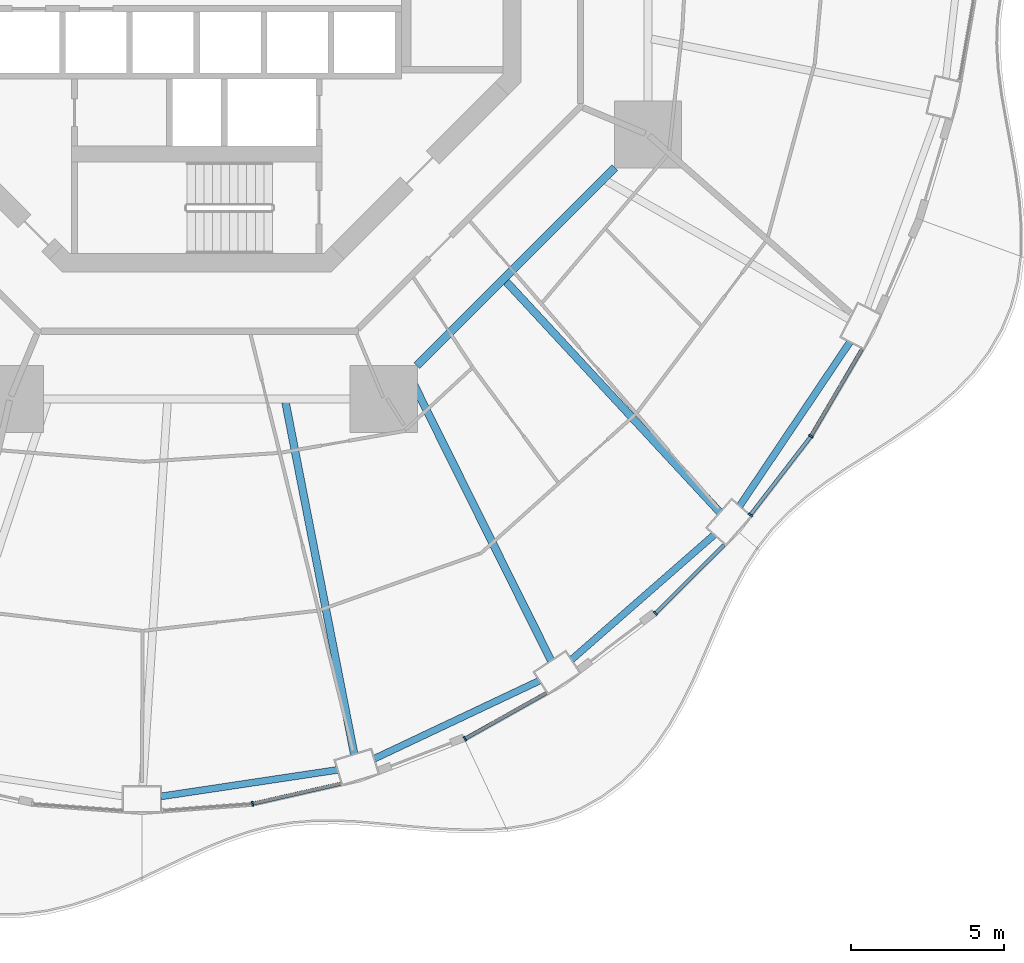
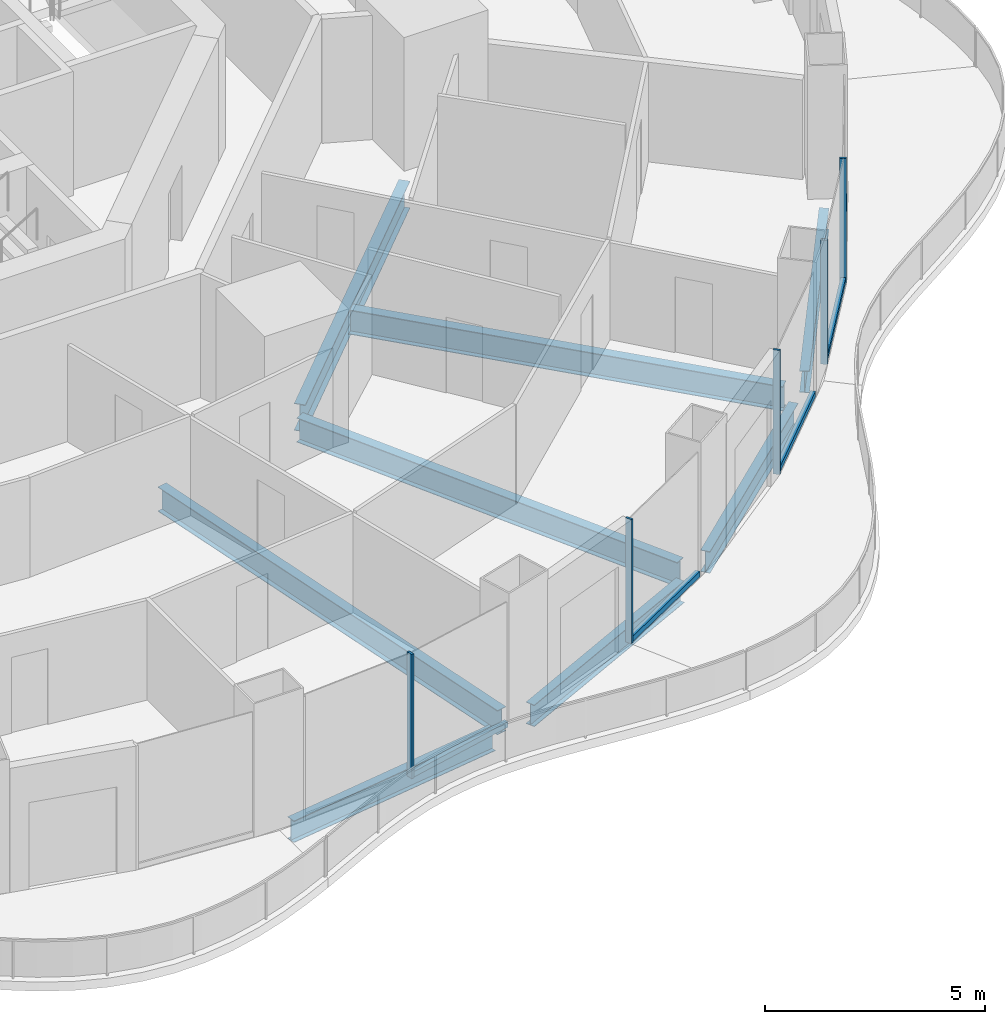
# One storey, part 5 of 22: 10 members, 8 beams, 5 elements without a shape of their own.
"""IFC4 building model written with IfcOpenShell, lengths in metres."""

from ifc_helpers import new_model, si_unit, direction, frame, origin, origin_2d, place, context, subcontext, project, spatial, rectangle, i_section, extrude, material, layer, layer_set, material_profile, profile_set, type_object, element, aggregate, save


model = new_model("IFC4")

# Units and contexts
model_context = context("Model", 3, precision=1e-05, world=origin(), true_north=direction((0.0, 1.0)))
body_context = subcontext(model_context, "Body", "Model", "MODEL_VIEW")
ifc_project = project(units=[si_unit("LENGTHUNIT", "METRE"), si_unit("AREAUNIT", "SQUARE_METRE"), si_unit("VOLUMEUNIT", "CUBIC_METRE"), si_unit("PLANEANGLEUNIT", "RADIAN"), si_unit("MASSUNIT", "GRAM", prefix="KILO")], contexts=[model_context])

# Site, building, storey
site_placement = place(None, origin())
site = spatial("IfcSite", under=ifc_project, at=site_placement, CompositionType="ELEMENT")
building_placement = place(site_placement, origin())
building = spatial("IfcBuilding", under=site, at=building_placement, Name="Nagisa Residences", CompositionType="ELEMENT")
storey_placement = place(building_placement, frame((0.0, 0.0, 95.5)))
storey = spatial("IfcBuildingStorey", under=building, at=storey_placement, Name="L23", CompositionType="ELEMENT", Elevation=95.5)

# Curtain wall, member
ifc_material_1 = material(Name="Concrete-coloured aluminium curtain wall system", Category="concrete")
ifc_layer = layer(ifc_material_1, 0.159912109375)
ifc_layer_set = layer_set([ifc_layer], Name="CW1 CURTAIN WALL")
curtain_wall_type = type_object("IfcCurtainWallType", Name="CW1 CURTAIN WALL", PredefinedType="NOTDEFINED", material=ifc_layer_set)
curtain_wall_1_placement = place(storey_placement, origin())
curtain_wall_1 = element("IfcCurtainWall", 1, at=curtain_wall_1_placement, inside=storey, type_object=curtain_wall_type, Name="cw:CW1:L23:37", PredefinedType="NOTDEFINED")
ifc_material_2 = material(Name="Concrete-coloured aluminium", Category="concrete")
ifc_material_profile_1 = material_profile(ifc_material_2, rectangle(XDim=0.159912109375, YDim=0.06005859375, at=origin_2d()), Name="CW1 MULLION 160x60")
ifc_profile_set_1 = profile_set([ifc_material_profile_1], Name="Concrete-coloured aluminium")
member_type_1 = type_object("IfcMemberType", Name="CW1 MULLION 160x60", PredefinedType="MULLION", material=ifc_profile_set_1)
member_1_placement = place(storey_placement, frame((1.826416015625, -28.04296875, 0.0), z_axis=(0.0, 0.0, 1.0), x_axis=(-0.2207639201, 0.975327274089, 0.0)))
member_1 = element("IfcMember", 2, at=member_1_placement, type_object=member_type_1, Name="CW1 mullion", PredefinedType="MULLION", context=body_context, shape_type="SweptSolid", body=[
    extrude(rectangle(XDim=0.159912109375, YDim=0.06005859375, at=origin_2d()), origin(), (0.0, 0.0, 1.0), 3.43994140625),
])

curtain_wall_2_placement = place(storey_placement, origin())
curtain_wall_2 = element("IfcCurtainWall", 3, at=curtain_wall_2_placement, inside=storey, type_object=curtain_wall_type, Name="cw:CW1:L23:39", PredefinedType="NOTDEFINED")
member_2_placement = place(storey_placement, frame((8.785400390625, -25.913818359375, 0.0), z_axis=(0.0, 0.0, 1.0), x_axis=(-0.489376918501, 0.872072377523, 0.0)))
member_2 = element("IfcMember", 4, at=member_2_placement, type_object=member_type_1, Name="CW1 mullion", PredefinedType="MULLION", context=body_context, shape_type="SweptSolid", body=[
    extrude(rectangle(XDim=0.159912109375, YDim=0.06005859375, at=origin_2d()), origin(), (0.0, 0.0, 1.0), 3.43994140625),
])

curtain_wall_3_placement = place(storey_placement, origin())
curtain_wall_3 = element("IfcCurtainWall", 5, at=curtain_wall_3_placement, inside=storey, type_object=curtain_wall_type, Name="cw:CW1:L23:41", PredefinedType="NOTDEFINED")
member_3_placement = place(storey_placement, frame((15.0244140625, -21.80712890625, 0.0), z_axis=(0.0, 0.0, 1.0), x_axis=(-0.706376885714, 0.707835924016, 0.0)))
member_3 = element("IfcMember", 6, at=member_3_placement, type_object=member_type_1, Name="CW1 mullion", PredefinedType="MULLION", context=body_context, shape_type="SweptSolid", body=[
    extrude(rectangle(XDim=0.159912109375, YDim=0.06005859375, at=origin_2d()), origin(), (0.0, 0.0, 1.0), 3.43994140625),
])

curtain_wall_4_placement = place(storey_placement, origin())
curtain_wall_4 = element("IfcCurtainWall", 7, at=curtain_wall_4_placement, inside=storey, type_object=curtain_wall_type, Name="cw:CW1:L23:42", PredefinedType="NOTDEFINED")
member_4_placement = place(storey_placement, frame((18.135009765625, -18.579345703125, 0.0), z_axis=(0.0, 0.0, 1.0), x_axis=(-0.792070340816, 0.610429828235, 0.0)))
member_4 = element("IfcMember", 8, at=member_4_placement, type_object=member_type_1, Name="CW1 mullion", PredefinedType="MULLION", context=body_context, shape_type="SweptSolid", body=[
    extrude(rectangle(XDim=0.159912109375, YDim=0.06005859375, at=origin_2d()), origin(), (0.0, 0.0, 1.0), 3.43994140625),
])

curtain_wall_5_placement = place(storey_placement, origin())
curtain_wall_5 = element("IfcCurtainWall", 9, at=curtain_wall_5_placement, inside=storey, type_object=curtain_wall_type, Name="cw:CW1:L23:43", PredefinedType="NOTDEFINED")
member_5_placement = place(storey_placement, frame((20.1181640625, -16.0009765625, 0.0), z_axis=(0.0, 0.0, 1.0), x_axis=(-0.862328898214, 0.506348567002, 0.0)))
member_5 = element("IfcMember", 10, at=member_5_placement, type_object=member_type_1, Name="CW1 mullion", PredefinedType="MULLION", context=body_context, shape_type="SweptSolid", body=[
    extrude(rectangle(XDim=0.159912109375, YDim=0.06005859375, at=origin_2d()), origin(), (0.0, 0.0, 1.0), 3.43994140625),
])

# Member
ifc_material_3 = material(Name="Concrete-coloured aluminium", Category="concrete")
ifc_material_profile_2 = material_profile(ifc_material_3, rectangle(XDim=0.1201171875, YDim=0.14990234375, at=origin_2d()), Name="CW1 TRANSOM 120x150")
ifc_profile_set_2 = profile_set([ifc_material_profile_2], Name="Concrete-coloured aluminium")
member_type_2 = type_object("IfcMemberType", Name="CW1 TRANSOM 120x150", PredefinedType="USERDEFINED", material=ifc_profile_set_2)
member_6_placement = place(storey_placement, frame((1.79736328125, -28.049560546875, 0.074951171875), z_axis=(0.975331196789, 0.220746589036, 0.0), x_axis=(-0.220746589036, 0.975331196789, 0.0)))
member_6 = element("IfcMember", 11, at=member_6_placement, type_object=member_type_2, Name="CW1 transom", ObjectType="TRANSOM", PredefinedType="USERDEFINED", context=body_context, shape_type="SweptSolid", body=[
    extrude(rectangle(XDim=0.1201171875, YDim=0.14990234375, at=origin_2d()), origin(), (0.0, 0.0, 1.0), 2.99267578125),
])

aggregate(curtain_wall_1, [member_1, member_6])

member_7_placement = place(storey_placement, frame((8.75927734375, -25.9287109375, 0.074951171875), z_axis=(0.872037280335, 0.489439456631, 0.0), x_axis=(-0.489439456631, 0.872037280335, 0.0)))
member_7 = element("IfcMember", 12, at=member_7_placement, type_object=member_type_2, Name="CW1 transom", ObjectType="TRANSOM", PredefinedType="USERDEFINED", context=body_context, shape_type="SweptSolid", body=[
    extrude(rectangle(XDim=0.1201171875, YDim=0.14990234375, at=origin_2d()), origin(), (0.0, 0.0, 1.0), 3.07568359375),
])

aggregate(curtain_wall_2, [member_2, member_7])

member_8_placement = place(storey_placement, frame((15.003173828125, -21.828125, 0.074951171875), z_axis=(0.707831724839, 0.70638109354, 0.0), x_axis=(-0.70638109354, 0.707831724839, 0.0)))
member_8 = element("IfcMember", 13, at=member_8_placement, type_object=member_type_2, Name="CW1 transom", ObjectType="TRANSOM", PredefinedType="USERDEFINED", context=body_context, shape_type="SweptSolid", body=[
    extrude(rectangle(XDim=0.1201171875, YDim=0.14990234375, at=origin_2d()), origin(), (0.0, 0.0, 1.0), 3.19775390625),
])

aggregate(curtain_wall_3, [member_3, member_8])

member_9_placement = place(storey_placement, frame((18.11669921875, -18.60302734375, 0.074951171875), z_axis=(0.610458970322, 0.792047880847, 0.0), x_axis=(-0.792047880847, 0.610458970322, 0.0)))
member_9 = element("IfcMember", 14, at=member_9_placement, type_object=member_type_2, Name="CW1 transom", ObjectType="TRANSOM", PredefinedType="USERDEFINED", context=body_context, shape_type="SweptSolid", body=[
    extrude(rectangle(XDim=0.1201171875, YDim=0.14990234375, at=origin_2d()), origin(), (0.0, 0.0, 1.0), 3.262939453125),
])

aggregate(curtain_wall_4, [member_4, member_9])

member_10_placement = place(storey_placement, frame((20.10302734375, -16.02685546875, 0.074951171875), z_axis=(0.506329983076, 0.86233981019, 0.0), x_axis=(-0.86233981019, 0.506329983076, 0.0)))
member_10 = element("IfcMember", 15, at=member_10_placement, type_object=member_type_2, Name="CW1 transom", ObjectType="TRANSOM", PredefinedType="USERDEFINED", context=body_context, shape_type="SweptSolid", body=[
    extrude(rectangle(XDim=0.1201171875, YDim=0.14990234375, at=origin_2d()), origin(), (0.0, 0.0, 1.0), 3.32470703125),
])

aggregate(curtain_wall_5, [member_5, member_10])

# Beams
ifc_material_4 = material(Name="Steel ASTM A572 Gr 50", Category="steel")
ifc_material_profile_3 = material_profile(ifc_material_4, i_section(OverallWidth=0.264892578125, OverallDepth=0.7529296875, WebThickness=0.01318359375, FlangeThickness=0.01708984375, at=origin_2d()), Name="W760x147")
ifc_profile_set_3 = profile_set([ifc_material_profile_3], Name="Steel ASTM A572 Gr 50")
beam_type_1 = type_object("IfcBeamType", Name="Inner ring beam W760x147", PredefinedType="BEAM", material=ifc_profile_set_3)
beam_1_placement = place(storey_placement, frame((7.208740234375, -13.6962890625, -0.636474609375), z_axis=(0.707106781187, 0.707106781187, 0.0), x_axis=(-0.707106781187, 0.707106781187, 0.0)))
element("IfcBeam", 16, at=beam_1_placement, inside=storey, type_object=beam_type_1, Name="beam:L23:ib7", PredefinedType="BEAM", context=body_context, shape_type="SweptSolid", body=[
    extrude(i_section(OverallWidth=0.264892578125, OverallDepth=0.7529296875, WebThickness=0.01318359375, FlangeThickness=0.01708984375, at=origin_2d()), origin(), (0.0, 0.0, 1.0), 9.1748046875),
])
ifc_material_5 = material(Name="Steel ASTM A572 Gr 50", Category="steel")
ifc_material_profile_4 = material_profile(ifc_material_5, i_section(OverallWidth=0.22802734375, OverallDepth=0.60302734375, WebThickness=0.010498046875, FlangeThickness=0.014892578125, at=origin_2d()), Name="W610x101")
ifc_profile_set_4 = profile_set([ifc_material_profile_4], Name="Steel ASTM A572 Gr 50")
beam_type_2 = type_object("IfcBeamType", Name="Perimeter ring beam W610x101", PredefinedType="BEAM", material=ifc_profile_set_4)
beam_2_placement = place(storey_placement, frame((-1.169677734375, -27.802734375, -0.5615234375), z_axis=(0.988913048607, 0.148495731568, 0.0), x_axis=(-0.148495731568, 0.988913048607, 0.0)))
element("IfcBeam", 17, at=beam_2_placement, inside=storey, type_object=beam_type_2, Name="beam:L23:pb19", PredefinedType="BEAM", context=body_context, shape_type="SweptSolid", body=[
    extrude(i_section(OverallWidth=0.22802734375, OverallDepth=0.60302734375, WebThickness=0.010498046875, FlangeThickness=0.014892578125, at=origin_2d()), origin(), (0.0, 0.0, 1.0), 5.843017578125),
])
beam_3_placement = place(storey_placement, frame((5.814453125, -26.568359375, -0.5615234375), z_axis=(0.904196975776, 0.427115709144, 0.0), x_axis=(-0.427115709144, 0.904196975776, 0.0)))
element("IfcBeam", 18, at=beam_3_placement, inside=storey, type_object=beam_type_2, Name="beam:L23:pb20", PredefinedType="BEAM", context=body_context, shape_type="SweptSolid", body=[
    extrude(i_section(OverallWidth=0.22802734375, OverallDepth=0.60302734375, WebThickness=0.010498046875, FlangeThickness=0.014892578125, at=origin_2d()), origin(), (0.0, 0.0, 1.0), 5.980712890625),
])
beam_4_placement = place(storey_placement, frame((12.2763671875, -23.322998046875, -0.5615234375), z_axis=(0.752525569707, 0.658563031863, 0.0), x_axis=(-0.658563031863, 0.752525569707, 0.0)))
element("IfcBeam", 19, at=beam_4_placement, inside=storey, type_object=beam_type_2, Name="beam:L23:pb21", PredefinedType="BEAM", context=body_context, shape_type="SweptSolid", body=[
    extrude(i_section(OverallWidth=0.22802734375, OverallDepth=0.60302734375, WebThickness=0.010498046875, FlangeThickness=0.014892578125, at=origin_2d()), origin(), (0.0, 0.0, 1.0), 6.21240234375),
])
beam_5_placement = place(storey_placement, frame((17.784423828125, -18.2861328125, -0.5615234375), z_axis=(0.558229575935, 0.829686531499, 0.0), x_axis=(-0.829686531499, 0.558229575935, 0.0)))
element("IfcBeam", 20, at=beam_5_placement, inside=storey, type_object=beam_type_2, Name="beam:L23:pb22", PredefinedType="BEAM", context=body_context, shape_type="SweptSolid", body=[
    extrude(i_section(OverallWidth=0.22802734375, OverallDepth=0.60302734375, WebThickness=0.010498046875, FlangeThickness=0.014892578125, at=origin_2d()), origin(), (0.0, 0.0, 1.0), 6.471923828125),
])
ifc_material_6 = material(Name="Steel ASTM A572 Gr 50", Category="steel")
ifc_material_profile_5 = material_profile(ifc_material_6, i_section(OverallWidth=0.2529296875, OverallDepth=0.677978515625, WebThickness=0.01171875, FlangeThickness=0.016357421875, at=origin_2d()), Name="W690x125")
ifc_profile_set_5 = profile_set([ifc_material_profile_5], Name="Steel ASTM A572 Gr 50")
beam_type_3 = type_object("IfcBeamType", Name="Radial beam W690x125", PredefinedType="BEAM", material=ifc_profile_set_5)
beam_6_placement = place(storey_placement, frame((5.15576171875, -26.416015625, -0.59912109375), z_axis=(-0.191554340045, 0.981482009417, 0.0), x_axis=(-0.981482009417, -0.191554340045, 0.0)))
element("IfcBeam", 21, at=beam_6_placement, inside=storey, type_object=beam_type_3, Name="beam:L23:rb20", PredefinedType="BEAM", context=body_context, shape_type="SweptSolid", body=[
    extrude(i_section(OverallWidth=0.2529296875, OverallDepth=0.677978515625, WebThickness=0.01171875, FlangeThickness=0.016357421875, at=origin_2d()), origin(), (0.0, 0.0, 1.0), 11.73828125),
])
beam_7_placement = place(storey_placement, frame((11.604736328125, -23.35400390625, -0.59912109375), z_axis=(-0.444988448889, 0.895536308787, 0.0), x_axis=(-0.895536308787, -0.444988448889, 0.0)))
element("IfcBeam", 22, at=beam_7_placement, inside=storey, type_object=beam_type_3, Name="beam:L23:rb21", PredefinedType="BEAM", context=body_context, shape_type="SweptSolid", body=[
    extrude(i_section(OverallWidth=0.2529296875, OverallDepth=0.677978515625, WebThickness=0.01171875, FlangeThickness=0.016357421875, at=origin_2d()), origin(), (0.0, 0.0, 1.0), 10.364013671875),
])
beam_8_placement = place(storey_placement, frame((17.135986328125, -18.49609375, -0.59912109375), z_axis=(-0.67961674612, 0.733567364591, 0.0), x_axis=(-0.733567364591, -0.67961674612, 0.0)))
element("IfcBeam", 23, at=beam_8_placement, inside=storey, type_object=beam_type_3, Name="beam:L23:rb22", PredefinedType="BEAM", context=body_context, shape_type="SweptSolid", body=[
    extrude(i_section(OverallWidth=0.2529296875, OverallDepth=0.677978515625, WebThickness=0.01171875, FlangeThickness=0.016357421875, at=origin_2d()), origin(), (0.0, 0.0, 1.0), 10.30859375),
])

save(model, "model.ifc")
